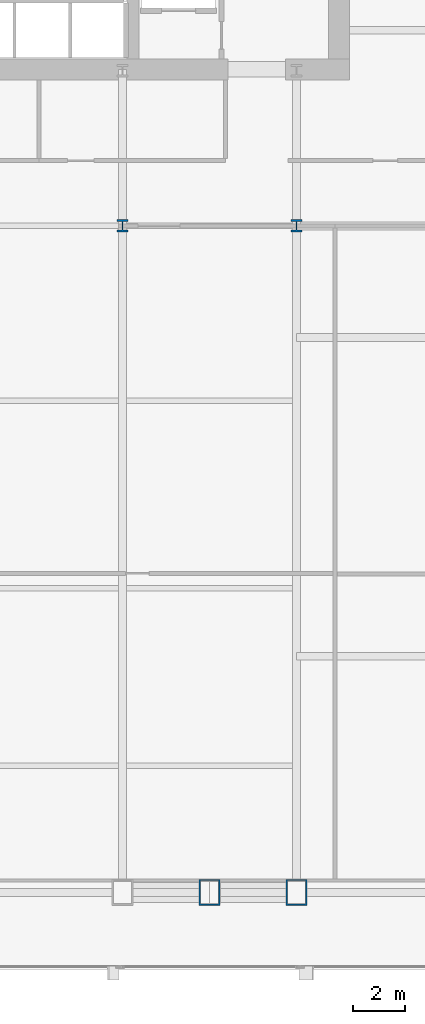
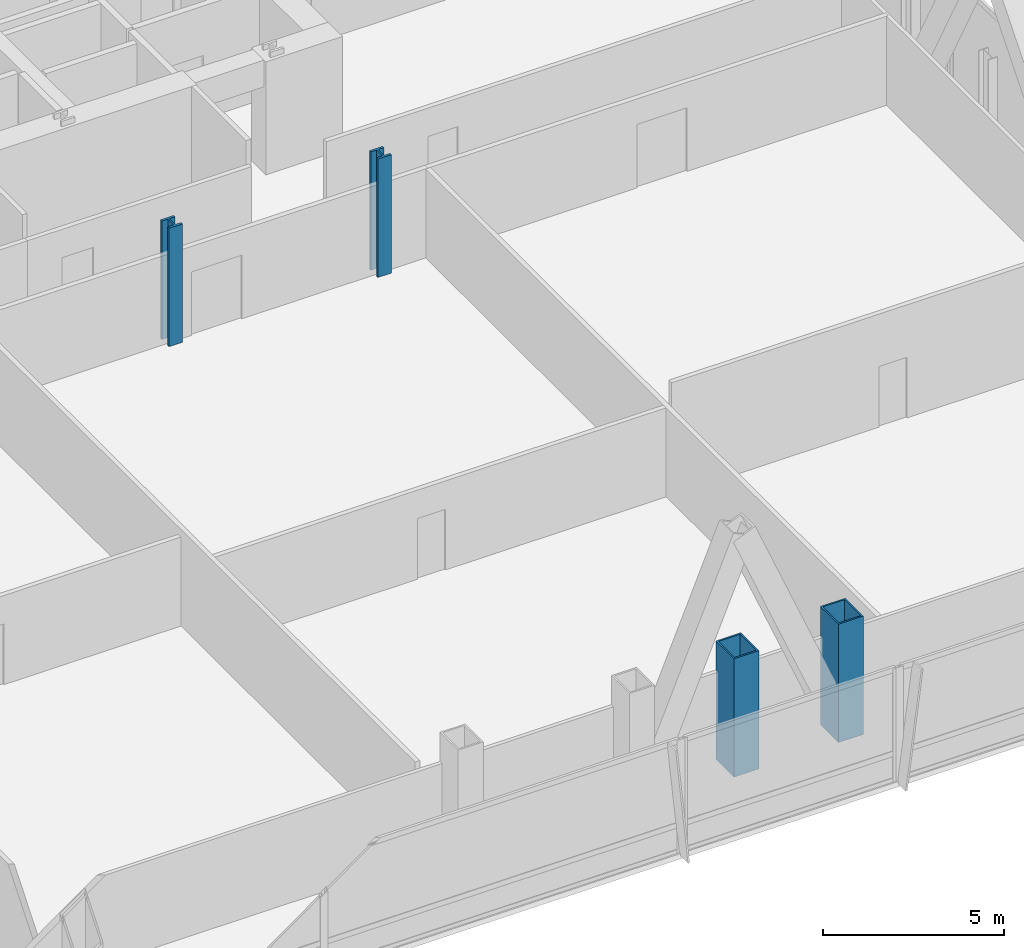
# One storey, part 2 of 33: 4 columns.
"""IFC4 building model written with IfcOpenShell, lengths in metres."""

import ifcopenshell
import ifcopenshell.guid

model = None  # the IFC model being written
_history = None  # IfcOwnerHistory: only IFC2X3 demands one
_inside = {}  # id of a spatial element -> (the spatial element, [elements in it])
_under = {}  # id of a project, library or spatial element -> (it, [spatial elements below it])
_declared = {}  # id of a project -> (the project, [libraries it declares])
_typed = {}  # id of a type object -> (the type object, [elements of that type])
_made_of = {}  # id of a material, layer set ... -> (it, [elements and type objects made of it])


def new_model(schema):
    """Start an empty IFC model of exactly this schema.

    Asked for "IFC4X3", IfcOpenShell would pick the latest addendum, in which some entities
    have other attributes; the version numbers below select the first issue.
    IFC2X3 requires an IfcOwnerHistory on every rooted entity: one is made here for all.
    """
    global model, _history
    if schema == "IFC4X3":
        model = ifcopenshell.file(schema_version=(4, 3, 0, 0))
    else:
        model = ifcopenshell.file(schema=schema)
    _inside.clear()
    _under.clear()
    _declared.clear()
    _typed.clear()
    _made_of.clear()
    _history = None
    if model.schema == "IFC2X3":
        org = make("IfcOrganization", Name="unknown")
        user = make(
            "IfcPersonAndOrganization",
            ThePerson=make("IfcPerson", FamilyName="unknown"),
            TheOrganization=org,
        )
        app = make(
            "IfcApplication",
            ApplicationDeveloper=org,
            Version="unknown",
            ApplicationFullName="unknown",
            ApplicationIdentifier="unknown",
        )
        _history = make(
            "IfcOwnerHistory",
            OwningUser=user,
            OwningApplication=app,
            ChangeAction="ADDED",
            CreationDate=0,
        )
    return model


def make(cls, **values):
    """One entity of the class cls with the attributes given. An attribute that is None is left unset."""
    return model.create_entity(
        cls, **{name: value for name, value in values.items() if value is not None}
    )


def rooted(cls, **values):
    """An entity with a GlobalId (a new one), such as an element, a storey or a relation."""
    return make(cls, GlobalId=ifcopenshell.guid.new(), OwnerHistory=_history, **values)


def si_unit(unit_type, name, prefix=None):
    """IfcSIUnit, for example si_unit("LENGTHUNIT", "METRE", prefix="MILLI")."""
    return make("IfcSIUnit", UnitType=unit_type, Prefix=prefix, Name=name)


def assignment(units):
    """IfcUnitAssignment: the units of a project."""
    return None if units is None else make("IfcUnitAssignment", Units=units)


def point(xyz):
    """IfcCartesianPoint."""
    return None if xyz is None else make("IfcCartesianPoint", Coordinates=xyz)


def direction(xyz):
    """IfcDirection."""
    return None if xyz is None else make("IfcDirection", DirectionRatios=xyz)


def frame(location, z_axis=None, x_axis=None):
    """IfcAxis2Placement3D, a coordinate frame: its origin and axes. An axis left out is left unset."""
    return make(
        "IfcAxis2Placement3D",
        Location=point(location),
        Axis=direction(z_axis),
        RefDirection=direction(x_axis),
    )


def frame_2d(location, x_axis=None):
    """IfcAxis2Placement2D, a coordinate frame in the plane: its origin and x axis."""
    return make(
        "IfcAxis2Placement2D", Location=point(location), RefDirection=direction(x_axis)
    )


def origin():
    """The frame at (0, 0, 0) with its axes left unset."""
    return frame((0.0, 0.0, 0.0))


def origin_2d():
    """The frame at (0, 0) in the plane with its x axis left unset."""
    return frame_2d((0.0, 0.0))


def place(relative_to, where):
    """IfcLocalPlacement: puts the frame where relative to a parent placement (None: the world)."""
    return make(
        "IfcLocalPlacement", PlacementRelTo=relative_to, RelativePlacement=where
    )


def context(
    kind, dimensions, precision=None, world=None, true_north=None, identifier=None
):
    """IfcGeometricRepresentationContext, for example the 3D "Model" context."""
    return make(
        "IfcGeometricRepresentationContext",
        ContextIdentifier=identifier,
        ContextType=kind,
        CoordinateSpaceDimension=dimensions,
        Precision=precision,
        WorldCoordinateSystem=world,
        TrueNorth=true_north,
    )


def subcontext(parent, identifier, kind, view, scale=None):
    """IfcGeometricRepresentationSubContext, for example "Body" below "Model"."""
    return make(
        "IfcGeometricRepresentationSubContext",
        ContextIdentifier=identifier,
        ContextType=kind,
        ParentContext=parent,
        TargetScale=scale,
        TargetView=view,
    )


def project(units=None, contexts=None):
    """IfcProject with its units and contexts."""
    return rooted(
        "IfcProject",
        Name="project",
        RepresentationContexts=contexts,
        UnitsInContext=assignment(units),
    )


def spatial(cls, under=None, at=None, **own):
    """A site, building, storey or space (cls), placed at a placement, below another one or the project."""
    s = rooted(cls, ObjectPlacement=at, **own)
    if under is not None:
        _under.setdefault(under.id(), (under, []))[1].append(s)
    return s


def profile(cls, at=None, kind="AREA", **sizes):
    """A parametric profile (cls). Its sizes go by their IFC names, for example OverallWidth=200.0."""
    return make(cls, ProfileType=kind, Position=at, **sizes)


def hollow_rectangle(**sizes):
    """IfcRectangleHollowProfileDef."""
    return profile("IfcRectangleHollowProfileDef", **sizes)


def i_section(**sizes):
    """IfcIShapeProfileDef."""
    return profile("IfcIShapeProfileDef", **sizes)


def extrude(swept, where, along, depth):
    """IfcExtrudedAreaSolid: the profile swept, set in the frame where, extruded along a direction by depth."""
    return make(
        "IfcExtrudedAreaSolid",
        SweptArea=swept,
        Position=where,
        ExtrudedDirection=direction(along),
        Depth=depth,
    )


def shape(context_of_items, identifier, shape_type, items):
    """IfcShapeRepresentation: the items that make up one representation, for example the "Body"."""
    return make(
        "IfcShapeRepresentation",
        ContextOfItems=context_of_items,
        RepresentationIdentifier=identifier,
        RepresentationType=shape_type,
        Items=items,
    )


def material(Name=None, Category=None):
    """IfcMaterial."""
    return make("IfcMaterial", Name=Name, Category=Category)


def material_profile(
    of_material, cross_section, Name=None, Category=None, Priority=None
):
    """IfcMaterialProfile: a cross section and its material."""
    return make(
        "IfcMaterialProfile",
        Name=Name,
        Material=of_material,
        Profile=cross_section,
        Priority=Priority,
        Category=Category,
    )


def profile_set(profiles, Name=None, composite=None):
    """IfcMaterialProfileSet."""
    return make(
        "IfcMaterialProfileSet",
        Name=Name,
        MaterialProfiles=profiles,
        CompositeProfile=composite,
    )


def made_of(thing, what):
    """Note that an element or type object is made of a material, layer set ...; save() writes the relation."""
    if what is not None:
        _made_of.setdefault(what.id(), (what, []))[1].append(thing)
    return thing


def type_object(cls, material=None, **own):
    """A type object (cls), such as IfcWallType, which elements share."""
    return made_of(rooted(cls, **own), material)


def element(
    cls,
    number,
    at=None,
    inside=None,
    cuts=None,
    type_object=None,
    material=None,
    context=None,
    identifier="Body",
    shape_type=None,
    held_by="IfcProductDefinitionShape",
    body=None,
    shapes=None,
    **own,
):
    """One element of the class cls, such as IfcWall. Its Tag is "e" and its number.

    at: its placement. inside: the storey or other place that contains it. cuts: it is an
    opening in that element (IfcRelVoidsElement). A single representation is given by context,
    identifier, shape_type and body (its items); several are given by shapes. held_by: the class
    of the entity that holds the representations. save() writes the other relations.
    """
    e = rooted(cls, Tag="e%d" % number, ObjectPlacement=at, **own)
    if body is not None:
        shapes = [shape(context, identifier, shape_type, body)]
    if shapes is not None:
        e.Representation = make(held_by, Representations=shapes)
    if inside is not None:
        _inside.setdefault(inside.id(), (inside, []))[1].append(e)
    if cuts is not None:
        rooted(
            "IfcRelVoidsElement", RelatingBuildingElement=cuts, RelatedOpeningElement=e
        )
    if type_object is not None:
        _typed.setdefault(type_object.id(), (type_object, []))[1].append(e)
    return made_of(e, material)


def aggregate(whole, parts):
    """IfcRelAggregates: a whole, such as a stair, and the parts it consists of."""
    return rooted("IfcRelAggregates", RelatingObject=whole, RelatedObjects=parts)


def save(model, path):
    """Write the relations noted so far, then the file.

    IfcRelAggregates (storeys below a building ...), IfcRelContainedInSpatialStructure (elements
    in a storey), IfcRelDefinesByType, IfcRelAssociatesMaterial and IfcRelDeclares: one each for
    every whole, place, type object, material and project.
    """
    for whole, parts in _under.values():
        aggregate(whole, parts)
    for where, things in _inside.values():
        rooted(
            "IfcRelContainedInSpatialStructure",
            RelatedElements=things,
            RelatingStructure=where,
        )
    for kind, things in _typed.values():
        rooted("IfcRelDefinesByType", RelatedObjects=things, RelatingType=kind)
    for what, things in _made_of.values():
        rooted("IfcRelAssociatesMaterial", RelatedObjects=things, RelatingMaterial=what)
    for by, libraries in _declared.values():
        rooted("IfcRelDeclares", RelatingContext=by, RelatedDefinitions=libraries)
    model.write(path)


model = new_model("IFC4")

# Units and contexts
model_context = context("Model", 3, precision=1e-05, world=origin(), true_north=direction((0.0, 1.0)))
body_context = subcontext(model_context, "Body", "Model", "MODEL_VIEW")
ifc_project = project(units=[si_unit("LENGTHUNIT", "METRE"), si_unit("AREAUNIT", "SQUARE_METRE"), si_unit("VOLUMEUNIT", "CUBIC_METRE"), si_unit("PLANEANGLEUNIT", "RADIAN"), si_unit("MASSUNIT", "GRAM", prefix="KILO")], contexts=[model_context])

# Site, building, storey
site_placement = place(None, origin())
site = spatial("IfcSite", under=ifc_project, at=site_placement, CompositionType="ELEMENT")
building_placement = place(site_placement, origin())
building = spatial("IfcBuilding", under=site, at=building_placement, Name="Khoronbel Lancet Exchange", CompositionType="ELEMENT")
storey_placement = place(building_placement, frame((0.0, 0.0, 73.800048828125)))
storey = spatial("IfcBuildingStorey", under=building, at=storey_placement, Name="L17", CompositionType="ELEMENT", Elevation=73.800048828125)

# Columns
ifc_material = material(Name="Steel S460", Category="steel")
ifc_material_profile_1 = material_profile(ifc_material, hollow_rectangle(XDim=0.800048828125, YDim=1.0, WallThickness=0.054931640625, at=origin_2d()), Name="BOX 1000x800x55")
ifc_profile_set_1 = profile_set([ifc_material_profile_1], Name="Steel S460")
column_type_1 = type_object("IfcColumnType", Name="COL-EC1", PredefinedType="COLUMN", material=ifc_profile_set_1)
for number, where, z_axis, x_axis, name in (
    (1, (51.33740234375, 10.14990234375, 0.0), (0.0, 0.0, 1.0), (1.0, 0.0, 0.0), "Structural column SC-EM L17"),
    (2, (54.675048828125, 10.14990234375, 0.0), (0.0, 0.0, 1.0), (1.0, 0.0, 0.0), "Structural column SC-E2 L17"),
):
    element("IfcColumn", number, at=place(storey_placement, frame(where, z_axis=z_axis, x_axis=x_axis)), inside=storey, type_object=column_type_1, Name=name, PredefinedType="COLUMN", context=body_context, shape_type="SweptSolid", body=[
        extrude(hollow_rectangle(XDim=0.800048828125, YDim=1.0, WallThickness=0.054931640625, at=origin_2d()), origin(), (0.0, 0.0, 1.0), 4.0),
    ])
ifc_material_profile_2 = material_profile(ifc_material, i_section(OverallWidth=0.424072265625, OverallDepth=0.47412109375, WebThickness=0.047607421875, FlangeThickness=0.076904296875, at=origin_2d()), Name="HD 400x634")
ifc_profile_set_2 = profile_set([ifc_material_profile_2], Name="Steel S460")
column_type_2 = type_object("IfcColumnType", Name="COL-IC1", PredefinedType="COLUMN", material=ifc_profile_set_2)
for number, where, z_axis, x_axis, name in (
    (3, (48.0, 35.699951171875, 0.0), (0.0, 0.0, 1.0), (1.0, 0.0, 0.0), "Spine gravity column TC3 L17"),
    (4, (54.675048828125, 35.699951171875, 0.0), (0.0, 0.0, 1.0), (1.0, 0.0, 0.0), "Spine gravity column TC4 L17"),
):
    element("IfcColumn", number, at=place(storey_placement, frame(where, z_axis=z_axis, x_axis=x_axis)), inside=storey, type_object=column_type_2, Name=name, PredefinedType="COLUMN", context=body_context, shape_type="SweptSolid", body=[
        extrude(i_section(OverallWidth=0.424072265625, OverallDepth=0.47412109375, WebThickness=0.047607421875, FlangeThickness=0.076904296875, at=origin_2d()), origin(), (0.0, 0.0, 1.0), 4.0),
    ])

save(model, "model.ifc")
